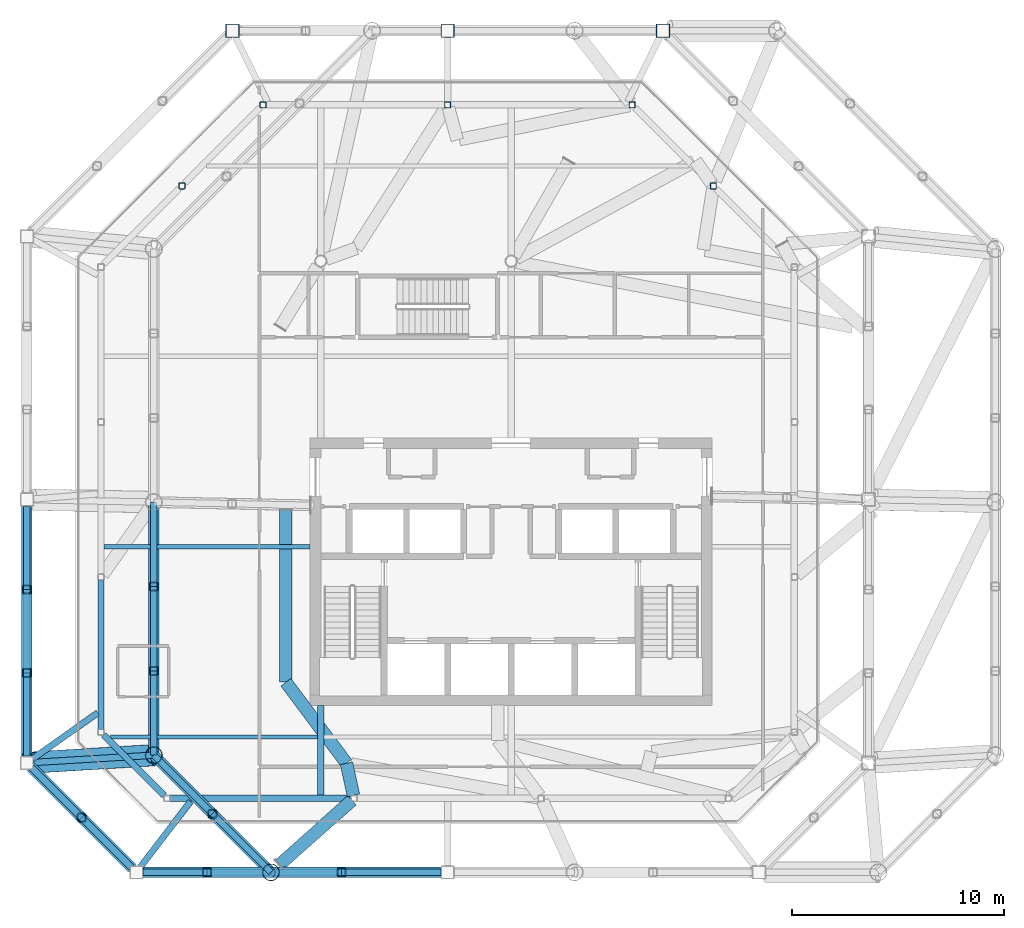
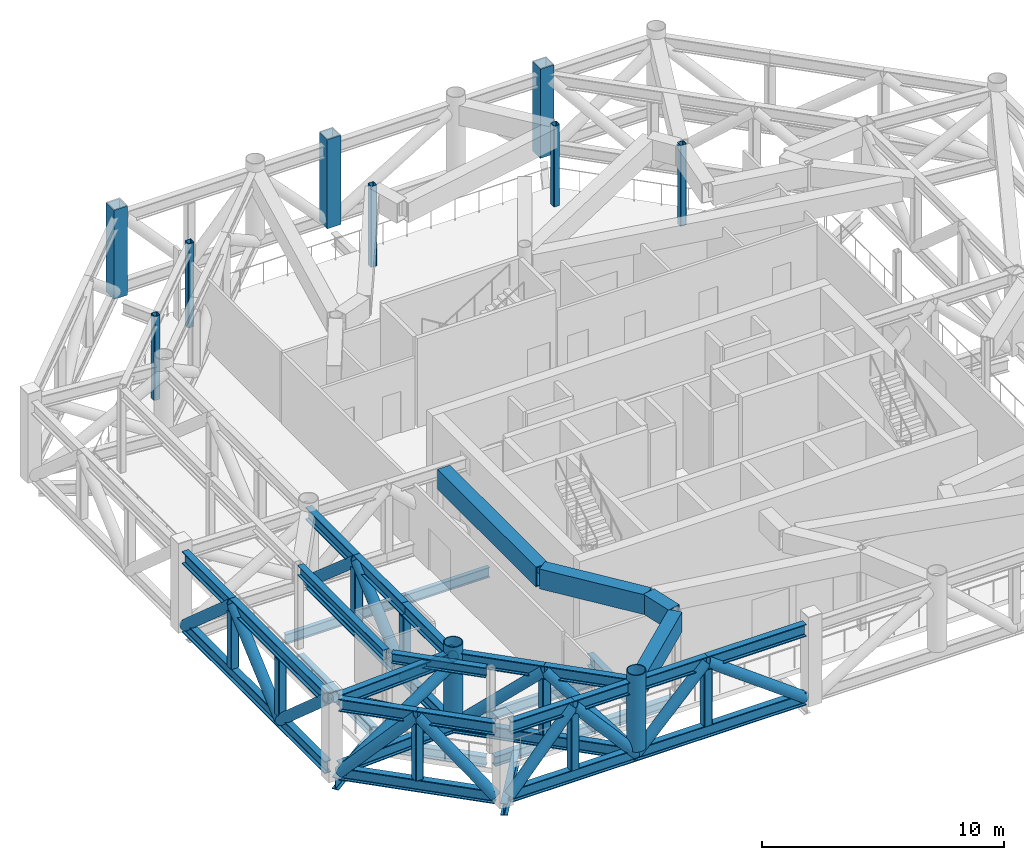
# One storey, part 2 of 14: 38 beams, 26 members, 8 columns.
"""IFC4 building model written with IfcOpenShell, lengths in metres."""

from ifc_helpers import new_model, si_unit, direction, frame, origin, origin_2d, place, context, subcontext, project, spatial, hollow_rectangle, hollow_circle, i_section, extrude, material, material_profile, profile_set, type_object, element, save


model = new_model("IFC4")

# Units and contexts
model_context = context("Model", 3, precision=1e-05, world=origin(), true_north=direction((0.0, 1.0)))
body_context = subcontext(model_context, "Body", "Model", "MODEL_VIEW")
ifc_project = project(units=[si_unit("LENGTHUNIT", "METRE"), si_unit("AREAUNIT", "SQUARE_METRE"), si_unit("VOLUMEUNIT", "CUBIC_METRE"), si_unit("PLANEANGLEUNIT", "RADIAN"), si_unit("MASSUNIT", "GRAM", prefix="KILO")], contexts=[model_context])

# Site, building, storey
site_placement = place(None, origin())
site = spatial("IfcSite", under=ifc_project, at=site_placement, CompositionType="ELEMENT")
building_placement = place(site_placement, origin())
building = spatial("IfcBuilding", under=site, at=building_placement, Name="Tskaro Facet Tower", CompositionType="ELEMENT")
storey_placement = place(building_placement, frame((0.0, 0.0, 255.0)))
storey = spatial("IfcBuildingStorey", under=building, at=storey_placement, Name="L67", CompositionType="ELEMENT", Elevation=255.0)

# Columns
ifc_material_1 = material(Name="Steel S355J2", Category="steel")
ifc_material_profile_1 = material_profile(ifc_material_1, hollow_rectangle(XDim=0.64990234375, YDim=0.64990234375, WallThickness=0.0400390625, at=origin_2d()), Name="BOX 650x650x40")
ifc_profile_set_1 = profile_set([ifc_material_profile_1], Name="Steel S355J2")
column_type_1 = type_object("IfcColumnType", Name="BOX 650x650x40 mega column", PredefinedType="COLUMN", material=ifc_profile_set_1)
for number, where, z_axis, x_axis, name in (
    (1, (7.176025390625, 19.89306640625, 0.0), (0.0, 0.0, 1.0), (1.0, 0.0, 0.0), "BOX 650x650x40 MC07/5T"),
    (2, (-3.0, 19.89306640625, 0.0), (0.0, 0.0, 1.0), (1.0, 0.0, 0.0), "BOX 650x650x40 MC08/5T"),
    (3, (-13.176025390625, 19.89306640625, 0.0), (0.0, 0.0, 1.0), (1.0, 0.0, 0.0), "BOX 650x650x40 MC09/5T"),
):
    element("IfcColumn", number, at=place(storey_placement, frame(where, z_axis=z_axis, x_axis=x_axis)), inside=storey, type_object=column_type_1, Name=name, PredefinedType="COLUMN", context=body_context, shape_type="SweptSolid", body=[
        extrude(hollow_rectangle(XDim=0.64990234375, YDim=0.64990234375, WallThickness=0.0400390625, at=origin_2d()), origin(), (0.0, 0.0, 1.0), 4.5),
    ])
ifc_material_2 = material(Name="Steel S355J2H", Category="steel")
ifc_material_profile_2 = material_profile(ifc_material_2, hollow_rectangle(XDim=0.300048828125, YDim=0.300048828125, WallThickness=0.02001953125, InnerFilletRadius=0.030029296875, OuterFilletRadius=0.050048828125, at=origin_2d()), Name="SHS 300x300x20")
ifc_profile_set_2 = profile_set([ifc_material_profile_2], Name="Steel S355J2H")
column_type_2 = type_object("IfcColumnType", Name="SHS 300x300x20 ring column", PredefinedType="COLUMN", material=ifc_profile_set_2)
for number, where, z_axis, x_axis, name in (
    (4, (9.55810546875, 12.55810546875, 0.0), (0.0, 0.0, 1.0), (1.0, 0.0, 0.0), "SHS 300x300x20 RNE-2/5"),
    (5, (5.72509765625, 16.39111328125, 0.0), (0.0, 0.0, 1.0), (1.0, 0.0, 0.0), "SHS 300x300x20 RN-1/5"),
    (6, (-3.0, 16.39111328125, 0.0), (0.0, 0.0, 1.0), (1.0, 0.0, 0.0), "SHS 300x300x20 RN-2/5"),
):
    element("IfcColumn", number, at=place(storey_placement, frame(where, z_axis=z_axis, x_axis=x_axis)), inside=storey, type_object=column_type_2, Name=name, PredefinedType="COLUMN", context=body_context, shape_type="SweptSolid", body=[
        extrude(hollow_rectangle(XDim=0.300048828125, YDim=0.300048828125, WallThickness=0.02001953125, InnerFilletRadius=0.030029296875, OuterFilletRadius=0.050048828125, at=origin_2d()), origin(), (0.0, 0.0, 1.0), 4.080078125),
    ])
for number, where, z_axis, x_axis, name in (
    (7, (-11.72509765625, 16.39111328125, 0.0), (0.0, 0.0, 1.0), (1.0, 0.0, 0.0), "SHS 300x300x20 RNW-1/5"),
    (8, (-15.55810546875, 12.55810546875, 0.0), (0.0, 0.0, 1.0), (1.0, 0.0, 0.0), "SHS 300x300x20 RNW-2/5"),
):
    element("IfcColumn", number, at=place(storey_placement, frame(where, z_axis=z_axis, x_axis=x_axis)), inside=storey, type_object=column_type_2, Name=name, PredefinedType="COLUMN", context=body_context, shape_type="SweptSolid", body=[
        extrude(hollow_rectangle(XDim=0.300048828125, YDim=0.300048828125, WallThickness=0.02001953125, InnerFilletRadius=0.030029296875, OuterFilletRadius=0.050048828125, at=origin_2d()), origin(), (0.0, 0.0, 1.0), 4.25),
    ])

# Beams
ifc_material_profile_3 = material_profile(ifc_material_1, hollow_rectangle(XDim=0.60009765625, YDim=1.0, WallThickness=0.0400390625, at=origin_2d()), Name="BOX 600x1000x40")
ifc_profile_set_3 = profile_set([ifc_material_profile_3], Name="Steel S355J2")
beam_type_1 = type_object("IfcBeamType", Name="BOX 600x1000x40 transfer girder", PredefinedType="BEAM", material=ifc_profile_set_3)
beam_1_placement = place(storey_placement, frame((-7.785400390625, -14.7373046875, 3.580078125), z_axis=(0.214132910757, -0.976804533431, 0.0), x_axis=(0.976804533431, 0.214132910757, 0.0)))
element("IfcBeam", 9, at=beam_1_placement, inside=storey, type_object=beam_type_1, Name="BOX 600x1000x40 TG6-9", PredefinedType="BEAM", context=body_context, shape_type="SweptSolid", body=[
    extrude(hollow_rectangle(XDim=0.60009765625, YDim=1.0, WallThickness=0.0400390625, at=origin_2d()), origin(), (0.0, 0.0, 1.0), 1.552978515625),
])
beam_2_placement = place(storey_placement, frame((-10.9443359375, -19.527099609375, 3.580078125), z_axis=(0.746773072419, 0.665078926376, 0.0), x_axis=(-0.665078926376, 0.746773072419, 0.0)))
element("IfcBeam", 10, at=beam_2_placement, inside=storey, type_object=beam_type_1, Name="BOX 600x1000x40 TG6-32", PredefinedType="BEAM", context=body_context, shape_type="SweptSolid", body=[
    extrude(hollow_rectangle(XDim=0.60009765625, YDim=1.0, WallThickness=0.0400390625, at=origin_2d()), origin(), (0.0, 0.0, 1.0), 4.575439453125),
])
beam_3_placement = place(storey_placement, frame((-10.64990234375, -10.903076171875, 3.580078125), z_axis=(0.598505368938, -0.801118794782, 0.0), x_axis=(0.801118794782, 0.598505368938, 0.0)))
element("IfcBeam", 11, at=beam_3_placement, inside=storey, type_object=beam_type_1, Name="BOX 600x1000x40 TG6-36", PredefinedType="BEAM", context=body_context, shape_type="SweptSolid", body=[
    extrude(hollow_rectangle(XDim=0.60009765625, YDim=1.0, WallThickness=0.0400390625, at=origin_2d()), origin(), (0.0, 0.0, 1.0), 4.7861328125),
])
beam_4_placement = place(storey_placement, frame((-10.64990234375, -2.75, 3.580078125), z_axis=(0.0, -1.0, 0.0), x_axis=(1.0, 0.0, 0.0)))
element("IfcBeam", 12, at=beam_4_placement, inside=storey, type_object=beam_type_1, Name="BOX 600x1000x40 TG6-37", PredefinedType="BEAM", context=body_context, shape_type="SweptSolid", body=[
    extrude(hollow_rectangle(XDim=0.60009765625, YDim=1.0, WallThickness=0.0400390625, at=origin_2d()), origin(), (0.0, 0.0, 1.0), 8.153076171875),
])

# Members
ifc_material_profile_4 = material_profile(ifc_material_2, hollow_circle(Radius=0.25390625, WallThickness=0.02490234375, at=origin_2d()), Name="CHS 508x25")
ifc_profile_set_4 = profile_set([ifc_material_profile_4], Name="Steel S355J2H")
member_type_1 = type_object("IfcMemberType", Name="CHS 508x25 belt diagonal", PredefinedType="BRACE", material=ifc_profile_set_4)
for number, where, z_axis, x_axis, name in (
    (13, (-17.39404296875, -19.89306640625, 0.31005859375), (0.65752546743, 0.0, 0.753432319244), (0.0, 1.0, 0.0), "CHS 508x25 BD5-011"),
    (14, (-14.37451171875, -19.89306640625, 3.77001953125), (0.65752546743, 0.0, -0.753432319244), (0.0, 1.0, 0.0), "CHS 508x25 BD5-012"),
):
    element("IfcMember", number, at=place(storey_placement, frame(where, z_axis=z_axis, x_axis=x_axis)), inside=storey, type_object=member_type_1, Name=name, PredefinedType="BRACE", context=body_context, shape_type="SweptSolid", body=[
        extrude(hollow_circle(Radius=0.25390625, WallThickness=0.02490234375, at=origin_2d()), origin(), (0.0, 0.0, 1.0), 4.59228515625),
    ])
member_1_placement = place(storey_placement, frame((-11.35498046875, -19.89306640625, 0.31005859375), z_axis=(0.694560086754, 0.0, 0.719434698836), x_axis=(0.0, 1.0, 0.0)))
element("IfcMember", 15, at=member_1_placement, inside=storey, type_object=member_type_1, Name="CHS 508x25 BD5-013", PredefinedType="BRACE", context=body_context, shape_type="SweptSolid", body=[
    extrude(hollow_circle(Radius=0.25390625, WallThickness=0.02490234375, at=origin_2d()), origin(), (0.0, 0.0, 1.0), 4.809326171875),
])
member_2_placement = place(storey_placement, frame((-8.0146484375, -19.89306640625, 3.77001953125), z_axis=(0.804695586788, 0.0, -0.593687638917), x_axis=(0.0, 1.0, 0.0)))
element("IfcMember", 16, at=member_2_placement, inside=storey, type_object=member_type_1, Name="CHS 508x25 BD5-014", PredefinedType="BRACE", context=body_context, shape_type="SweptSolid", body=[
    extrude(hollow_circle(Radius=0.25390625, WallThickness=0.02490234375, at=origin_2d()), origin(), (0.0, 0.0, 1.0), 5.827880859375),
])
member_3_placement = place(storey_placement, frame((-22.89306640625, -2.595947265625, 0.31005859375), z_axis=(0.0, -0.750783783976, 0.660548037404), x_axis=(1.0, 0.0, 0.0)))
element("IfcMember", 17, at=member_3_placement, inside=storey, type_object=member_type_1, Name="CHS 508x25 BD5-111", PredefinedType="BRACE", context=body_context, shape_type="SweptSolid", body=[
    extrude(hollow_circle(Radius=0.25390625, WallThickness=0.02490234375, at=origin_2d()), origin(), (0.0, 0.0, 1.0), 5.238037109375),
])
member_4_placement = place(storey_placement, frame((-22.89306640625, -6.528564453125, 3.77001953125), z_axis=(0.0, -0.750804119683, -0.660524922972), x_axis=(1.0, 0.0, 0.0)))
element("IfcMember", 18, at=member_4_placement, inside=storey, type_object=member_type_1, Name="CHS 508x25 BD5-112", PredefinedType="BRACE", context=body_context, shape_type="SweptSolid", body=[
    extrude(hollow_circle(Radius=0.25390625, WallThickness=0.02490234375, at=origin_2d()), origin(), (0.0, 0.0, 1.0), 5.23828125),
])
member_5_placement = place(storey_placement, frame((-22.89306640625, -10.46142578125, 0.31005859375), z_axis=(0.0, -0.750783783976, 0.660548037404), x_axis=(1.0, 0.0, 0.0)))
element("IfcMember", 19, at=member_5_placement, inside=storey, type_object=member_type_1, Name="CHS 508x25 BD5-113", PredefinedType="BRACE", context=body_context, shape_type="SweptSolid", body=[
    extrude(hollow_circle(Radius=0.25390625, WallThickness=0.02490234375, at=origin_2d()), origin(), (0.0, 0.0, 1.0), 5.238037109375),
])
for number, where, z_axis, x_axis, name in (
    (20, (-22.6630859375, -14.94873046875, 0.31005859375), (0.490611479462, -0.490611479462, 0.720139397922), (0.707106781187, 0.707106781187, 0.0), "CHS 508x25 BD5-121"),
    (21, (-20.305908203125, -17.305908203125, 3.77001953125), (0.490611479462, -0.490611479462, -0.720139397922), (0.707106781187, 0.707106781187, 0.0), "CHS 508x25 BD5-122"),
):
    element("IfcMember", number, at=place(storey_placement, frame(where, z_axis=z_axis, x_axis=x_axis)), inside=storey, type_object=member_type_1, Name=name, PredefinedType="BRACE", context=body_context, shape_type="SweptSolid", body=[
        extrude(hollow_circle(Radius=0.25390625, WallThickness=0.02490234375, at=origin_2d()), origin(), (0.0, 0.0, 1.0), 4.8046875),
    ])
member_6_placement = place(storey_placement, frame((-16.89306640625, -2.39208984375, 0.31005859375), z_axis=(0.0, -0.755305972074, 0.655372328184), x_axis=(1.0, 0.0, 0.0)))
element("IfcMember", 22, at=member_6_placement, inside=storey, type_object=member_type_1, Name="CHS 508x25 TB5-11-D1", PredefinedType="BRACE", context=body_context, shape_type="SweptSolid", body=[
    extrude(hollow_circle(Radius=0.25390625, WallThickness=0.02490234375, at=origin_2d()), origin(), (0.0, 0.0, 1.0), 5.279296875),
])
member_7_placement = place(storey_placement, frame((-16.89306640625, -6.379638671875, 3.77001953125), z_axis=(0.0, -0.755325833499, -0.655349437514), x_axis=(1.0, 0.0, 0.0)))
element("IfcMember", 23, at=member_7_placement, inside=storey, type_object=member_type_1, Name="CHS 508x25 TB5-11-D2", PredefinedType="BRACE", context=body_context, shape_type="SweptSolid", body=[
    extrude(hollow_circle(Radius=0.25390625, WallThickness=0.02490234375, at=origin_2d()), origin(), (0.0, 0.0, 1.0), 5.279541015625),
])
member_8_placement = place(storey_placement, frame((-16.89306640625, -10.367431640625, 0.31005859375), z_axis=(0.0, -0.755305972074, 0.655372328184), x_axis=(1.0, 0.0, 0.0)))
element("IfcMember", 24, at=member_8_placement, inside=storey, type_object=member_type_1, Name="CHS 508x25 TB5-11-D3", PredefinedType="BRACE", context=body_context, shape_type="SweptSolid", body=[
    extrude(hollow_circle(Radius=0.25390625, WallThickness=0.02490234375, at=origin_2d()), origin(), (0.0, 0.0, 1.0), 5.279296875),
])
for number, where, z_axis, x_axis, name in (
    (25, (-16.89306640625, -14.35498046875, 0.31005859375), (0.529903095236, -0.529903095236, 0.66212190669), (0.707106781187, 0.707106781187, 0.0), "CHS 508x25 TB5-12-D1"),
    (26, (-14.1240234375, -17.1240234375, 3.77001953125), (0.529903095236, -0.529903095236, -0.66212190669), (0.707106781187, 0.707106781187, 0.0), "CHS 508x25 TB5-12-D2"),
):
    element("IfcMember", number, at=place(storey_placement, frame(where, z_axis=z_axis, x_axis=x_axis)), inside=storey, type_object=member_type_1, Name=name, PredefinedType="BRACE", context=body_context, shape_type="SweptSolid", body=[
        extrude(hollow_circle(Radius=0.25390625, WallThickness=0.02490234375, at=origin_2d()), origin(), (0.0, 0.0, 1.0), 5.2255859375),
    ])
for number, where, z_axis, x_axis, name in (
    (27, (-22.55322265625, -14.952880859375, 0.31005859375), (0.852702431258, 0.051718949889, 0.519830466546), (-0.060541729711, 0.998165667093, 0.0), "CHS 508x25 TL5-12A-D1"),
    (28, (-22.583984375, -14.44580078125, 3.77001953125), (0.852702431258, 0.051718949889, -0.519830466546), (-0.060541729711, 0.998165667093, 0.0), "CHS 508x25 TL5-12A-D2"),
):
    element("IfcMember", number, at=place(storey_placement, frame(where, z_axis=z_axis, x_axis=x_axis)), inside=storey, type_object=member_type_1, Name=name, PredefinedType="BRACE", context=body_context, shape_type="SweptSolid", body=[
        extrude(hollow_circle(Radius=0.25390625, WallThickness=0.02490234375, at=origin_2d()), origin(), (0.0, 0.0, 1.0), 6.656005859375),
    ])
ifc_material_profile_5 = material_profile(ifc_material_2, hollow_circle(Radius=0.406494140625, WallThickness=0.035888671875, at=origin_2d()), Name="CHS 812.8x36")
ifc_profile_set_5 = profile_set([ifc_material_profile_5], Name="Steel S355J2H")
member_type_2 = type_object("IfcMemberType", Name="CHS 812.8x36 transfer node post", PredefinedType="POST", material=ifc_profile_set_5)
for number, where, z_axis, x_axis, name in (
    (29, (-11.35498046875, -19.89306640625, 0.6201171875), (0.0, 0.0, 1.0), (1.0, 0.0, 0.0), "CHS 812.8x36 TN5-01"),
    (30, (-16.89306640625, -14.35498046875, 0.6201171875), (0.0, 0.0, 1.0), (1.0, 0.0, 0.0), "CHS 812.8x36 TN5-12"),
):
    element("IfcMember", number, at=place(storey_placement, frame(where, z_axis=z_axis, x_axis=x_axis)), inside=storey, type_object=member_type_2, Name=name, PredefinedType="POST", context=body_context, shape_type="SweptSolid", body=[
        extrude(hollow_circle(Radius=0.406494140625, WallThickness=0.035888671875, at=origin_2d()), origin(), (0.0, 0.0, 1.0), 3.8798828125),
    ])

# Beams
ifc_material_profile_6 = material_profile(ifc_material_1, i_section(OverallWidth=0.300048828125, OverallDepth=0.5, WebThickness=0.014404296875, FlangeThickness=0.028076171875, FilletRadius=0.027099609375, at=origin_2d()), Name="HE 500 B")
ifc_profile_set_6 = profile_set([ifc_material_profile_6], Name="Steel S355J2")
beam_type_2 = type_object("IfcBeamType", Name="HE 500 B ring beam", PredefinedType="BEAM", material=ifc_profile_set_6)
beam_5_placement = place(storey_placement, frame((-16.137939453125, -16.39111328125, -0.5), z_axis=(1.0, 0.0, 0.0), x_axis=(0.0, 1.0, 0.0)))
element("IfcBeam", 31, at=beam_5_placement, inside=storey, type_object=beam_type_2, Name="HE 500 B EB1-5", PredefinedType="BEAM", context=body_context, shape_type="SweptSolid", body=[
    extrude(i_section(OverallWidth=0.300048828125, OverallDepth=0.5, WebThickness=0.014404296875, FlangeThickness=0.028076171875, FilletRadius=0.027099609375, at=origin_2d()), origin(), (0.0, 0.0, 1.0), 8.5849609375),
])
beam_6_placement = place(storey_placement, frame((-19.39111328125, -6.06689453125, -0.5), z_axis=(0.0, -1.0, 0.0), x_axis=(1.0, 0.0, 0.0)))
element("IfcBeam", 32, at=beam_6_placement, inside=storey, type_object=beam_type_2, Name="HE 500 B EB16-5", PredefinedType="BEAM", context=body_context, shape_type="SweptSolid", body=[
    extrude(i_section(OverallWidth=0.300048828125, OverallDepth=0.5, WebThickness=0.014404296875, FlangeThickness=0.028076171875, FilletRadius=0.027099609375, at=origin_2d()), origin(), (0.0, 0.0, 1.0), 7.071044921875),
])
beam_7_placement = place(storey_placement, frame((-19.255126953125, -13.40380859375, -0.5), z_axis=(0.707106781187, -0.707106781187, 0.0), x_axis=(0.707106781187, 0.707106781187, 0.0)))
element("IfcBeam", 33, at=beam_7_placement, inside=storey, type_object=beam_type_2, Name="HE 500 B EB17-5", PredefinedType="BEAM", context=body_context, shape_type="SweptSolid", body=[
    extrude(i_section(OverallWidth=0.300048828125, OverallDepth=0.5, WebThickness=0.014404296875, FlangeThickness=0.028076171875, FilletRadius=0.027099609375, at=origin_2d()), origin(), (0.0, 0.0, 1.0), 4.032470703125),
])
beam_8_placement = place(storey_placement, frame((-19.39111328125, -6.06689453125, 4.0), z_axis=(0.0, -1.0, 0.0), x_axis=(1.0, 0.0, 0.0)))
element("IfcBeam", 34, at=beam_8_placement, inside=storey, type_object=beam_type_2, Name="HE 500 B EB16-5R", PredefinedType="BEAM", context=body_context, shape_type="SweptSolid", body=[
    extrude(i_section(OverallWidth=0.300048828125, OverallDepth=0.5, WebThickness=0.014404296875, FlangeThickness=0.028076171875, FilletRadius=0.027099609375, at=origin_2d()), origin(), (0.0, 0.0, 1.0), 7.071044921875),
])
beam_9_placement = place(storey_placement, frame((-19.255126953125, -13.40380859375, 4.0), z_axis=(0.707106781187, -0.707106781187, 0.0), x_axis=(0.707106781187, 0.707106781187, 0.0)))
element("IfcBeam", 35, at=beam_9_placement, inside=storey, type_object=beam_type_2, Name="HE 500 B EB17-5R", PredefinedType="BEAM", context=body_context, shape_type="SweptSolid", body=[
    extrude(i_section(OverallWidth=0.300048828125, OverallDepth=0.5, WebThickness=0.014404296875, FlangeThickness=0.028076171875, FilletRadius=0.027099609375, at=origin_2d()), origin(), (0.0, 0.0, 1.0), 4.032470703125),
])
ifc_material_profile_7 = material_profile(ifc_material_1, i_section(OverallWidth=0.300048828125, OverallDepth=0.590087890625, WebThickness=0.012939453125, FlangeThickness=0.02490234375, FilletRadius=0.027099609375, at=origin_2d()), Name="HE 600 A")
ifc_profile_set_7 = profile_set([ifc_material_profile_7], Name="Steel S355J2")
beam_type_3 = type_object("IfcBeamType", Name="HE 600 A girder", PredefinedType="BEAM", material=ifc_profile_set_7)
beam_10_placement = place(storey_placement, frame((-9.0, -16.240966796875, -0.544921875), z_axis=(0.0, 1.0, 0.0), x_axis=(-1.0, 0.0, 0.0)))
element("IfcBeam", 36, at=beam_10_placement, inside=storey, type_object=beam_type_3, Name="HE 600 A GB3-1-5", PredefinedType="BEAM", context=body_context, shape_type="SweptSolid", body=[
    extrude(i_section(OverallWidth=0.300048828125, OverallDepth=0.590087890625, WebThickness=0.012939453125, FlangeThickness=0.02490234375, FilletRadius=0.027099609375, at=origin_2d()), origin(), (0.0, 0.0, 1.0), 4.240966796875),
])
ifc_material_profile_8 = material_profile(ifc_material_1, i_section(OverallWidth=0.300048828125, OverallDepth=0.60009765625, WebThickness=0.015380859375, FlangeThickness=0.030029296875, FilletRadius=0.027099609375, at=origin_2d()), Name="HE 600 B")
ifc_profile_set_8 = profile_set([ifc_material_profile_8], Name="Steel S355J2")
beam_type_4 = type_object("IfcBeamType", Name="HE 600 B floor strut", PredefinedType="BEAM", material=ifc_profile_set_8)
beam_11_placement = place(storey_placement, frame((-17.521484375, -19.635009765625, -0.550048828125), z_axis=(0.607801244754, 0.794089193275, 0.0), x_axis=(-0.794089193275, 0.607801244754, 0.0)))
element("IfcBeam", 37, at=beam_11_placement, inside=storey, type_object=beam_type_4, Name="HE 600 B ES5-01", PredefinedType="BEAM", context=body_context, shape_type="SweptSolid", body=[
    extrude(i_section(OverallWidth=0.300048828125, OverallDepth=0.60009765625, WebThickness=0.015380859375, FlangeThickness=0.030029296875, FilletRadius=0.027099609375, at=origin_2d()), origin(), (0.0, 0.0, 1.0), 3.896240234375),
])
beam_12_placement = place(storey_placement, frame((-22.627685546875, -14.531494140625, -0.550048828125), z_axis=(0.816708196374, 0.577050883351, 0.0), x_axis=(-0.577050883351, 0.816708196374, 0.0)))
element("IfcBeam", 38, at=beam_12_placement, inside=storey, type_object=beam_type_4, Name="HE 600 B ES5-12", PredefinedType="BEAM", context=body_context, shape_type="SweptSolid", body=[
    extrude(i_section(OverallWidth=0.300048828125, OverallDepth=0.60009765625, WebThickness=0.015380859375, FlangeThickness=0.030029296875, FilletRadius=0.027099609375, at=origin_2d()), origin(), (0.0, 0.0, 1.0), 3.779296875),
])
ifc_material_profile_9 = material_profile(ifc_material_1, i_section(OverallWidth=0.304931640625, OverallDepth=0.6201171875, WebThickness=0.02099609375, FlangeThickness=0.0400390625, FilletRadius=0.027099609375, at=origin_2d()), Name="HE 600 M")
ifc_profile_set_9 = profile_set([ifc_material_profile_9], Name="Steel S355J2")
beam_type_5 = type_object("IfcBeamType", Name="HE 600 M belt chord", PredefinedType="BEAM", material=ifc_profile_set_9)
beam_13_placement = place(storey_placement, frame((-17.39404296875, -19.89306640625, 3.77001953125), z_axis=(1.0, 0.0, 0.0), x_axis=(0.0, 1.0, 0.0)))
element("IfcBeam", 39, at=beam_13_placement, inside=storey, type_object=beam_type_5, Name="HE 600 M BT5-01T1", PredefinedType="BEAM", context=body_context, shape_type="SweptSolid", body=[
    extrude(i_section(OverallWidth=0.304931640625, OverallDepth=0.6201171875, WebThickness=0.02099609375, FlangeThickness=0.0400390625, FilletRadius=0.027099609375, at=origin_2d()), origin(), (0.0, 0.0, 1.0), 3.01953125),
])
beam_14_placement = place(storey_placement, frame((-14.37451171875, -19.89306640625, 3.77001953125), z_axis=(1.0, 0.0, 0.0), x_axis=(0.0, 1.0, 0.0)))
element("IfcBeam", 40, at=beam_14_placement, inside=storey, type_object=beam_type_5, Name="HE 600 M BT5-01T2", PredefinedType="BEAM", context=body_context, shape_type="SweptSolid", body=[
    extrude(i_section(OverallWidth=0.304931640625, OverallDepth=0.6201171875, WebThickness=0.02099609375, FlangeThickness=0.0400390625, FilletRadius=0.027099609375, at=origin_2d()), origin(), (0.0, 0.0, 1.0), 6.35986328125),
])
beam_15_placement = place(storey_placement, frame((-8.0146484375, -19.89306640625, 3.77001953125), z_axis=(1.0, 0.0, 0.0), x_axis=(0.0, 1.0, 0.0)))
element("IfcBeam", 41, at=beam_15_placement, inside=storey, type_object=beam_type_5, Name="HE 600 M BT5-01T3", PredefinedType="BEAM", context=body_context, shape_type="SweptSolid", body=[
    extrude(i_section(OverallWidth=0.304931640625, OverallDepth=0.6201171875, WebThickness=0.02099609375, FlangeThickness=0.0400390625, FilletRadius=0.027099609375, at=origin_2d()), origin(), (0.0, 0.0, 1.0), 4.689697265625),
])
beam_16_placement = place(storey_placement, frame((-17.39404296875, -19.89306640625, 0.31005859375), z_axis=(1.0, 0.0, 0.0), x_axis=(0.0, 1.0, 0.0)))
element("IfcBeam", 42, at=beam_16_placement, inside=storey, type_object=beam_type_5, Name="HE 600 M BT5-01B1", PredefinedType="BEAM", context=body_context, shape_type="SweptSolid", body=[
    extrude(i_section(OverallWidth=0.304931640625, OverallDepth=0.6201171875, WebThickness=0.02099609375, FlangeThickness=0.0400390625, FilletRadius=0.027099609375, at=origin_2d()), origin(), (0.0, 0.0, 1.0), 6.0390625),
])
beam_17_placement = place(storey_placement, frame((-11.35498046875, -19.89306640625, 0.31005859375), z_axis=(1.0, 0.0, 0.0), x_axis=(0.0, 1.0, 0.0)))
element("IfcBeam", 43, at=beam_17_placement, inside=storey, type_object=beam_type_5, Name="HE 600 M BT5-01B2", PredefinedType="BEAM", context=body_context, shape_type="SweptSolid", body=[
    extrude(i_section(OverallWidth=0.304931640625, OverallDepth=0.6201171875, WebThickness=0.02099609375, FlangeThickness=0.0400390625, FilletRadius=0.027099609375, at=origin_2d()), origin(), (0.0, 0.0, 1.0), 8.030029296875),
])
beam_18_placement = place(storey_placement, frame((-22.89306640625, -2.595947265625, 3.77001953125), z_axis=(0.0, -1.0, 0.0), x_axis=(1.0, 0.0, 0.0)))
element("IfcBeam", 44, at=beam_18_placement, inside=storey, type_object=beam_type_5, Name="HE 600 M BT5-11T1", PredefinedType="BEAM", context=body_context, shape_type="SweptSolid", body=[
    extrude(i_section(OverallWidth=0.304931640625, OverallDepth=0.6201171875, WebThickness=0.02099609375, FlangeThickness=0.0400390625, FilletRadius=0.027099609375, at=origin_2d()), origin(), (0.0, 0.0, 1.0), 3.9326171875),
])
for number, where, z_axis, x_axis, name in (
    (45, (-22.89306640625, -6.528564453125, 3.77001953125), (0.0, -1.0, 0.0), (1.0, 0.0, 0.0), "HE 600 M BT5-11T2"),
    (46, (-22.89306640625, -2.595947265625, 0.31005859375), (0.0, -1.0, 0.0), (1.0, 0.0, 0.0), "HE 600 M BT5-11B1"),
):
    element("IfcBeam", number, at=place(storey_placement, frame(where, z_axis=z_axis, x_axis=x_axis)), inside=storey, type_object=beam_type_5, Name=name, PredefinedType="BEAM", context=body_context, shape_type="SweptSolid", body=[
        extrude(i_section(OverallWidth=0.304931640625, OverallDepth=0.6201171875, WebThickness=0.02099609375, FlangeThickness=0.0400390625, FilletRadius=0.027099609375, at=origin_2d()), origin(), (0.0, 0.0, 1.0), 7.865478515625),
    ])
beam_19_placement = place(storey_placement, frame((-22.89306640625, -10.46142578125, 0.31005859375), z_axis=(0.0, -1.0, 0.0), x_axis=(1.0, 0.0, 0.0)))
element("IfcBeam", 47, at=beam_19_placement, inside=storey, type_object=beam_type_5, Name="HE 600 M BT5-11B2", PredefinedType="BEAM", context=body_context, shape_type="SweptSolid", body=[
    extrude(i_section(OverallWidth=0.304931640625, OverallDepth=0.6201171875, WebThickness=0.02099609375, FlangeThickness=0.0400390625, FilletRadius=0.027099609375, at=origin_2d()), origin(), (0.0, 0.0, 1.0), 3.9326171875),
])
for number, where, z_axis, x_axis, name in (
    (48, (-22.6630859375, -14.94873046875, 3.77001953125), (0.707106781187, -0.707106781187, 0.0), (0.707106781187, 0.707106781187, 0.0), "HE 600 M BT5-12T1"),
    (49, (-20.305908203125, -17.305908203125, 3.77001953125), (0.707106781187, -0.707106781187, 0.0), (0.707106781187, 0.707106781187, 0.0), "HE 600 M BT5-12T2"),
):
    element("IfcBeam", number, at=place(storey_placement, frame(where, z_axis=z_axis, x_axis=x_axis)), inside=storey, type_object=beam_type_5, Name=name, PredefinedType="BEAM", context=body_context, shape_type="SweptSolid", body=[
        extrude(i_section(OverallWidth=0.304931640625, OverallDepth=0.6201171875, WebThickness=0.02099609375, FlangeThickness=0.0400390625, FilletRadius=0.027099609375, at=origin_2d()), origin(), (0.0, 0.0, 1.0), 3.33349609375),
    ])
beam_20_placement = place(storey_placement, frame((-22.6630859375, -14.94873046875, 0.31005859375), z_axis=(0.707106781187, -0.707106781187, 0.0), x_axis=(0.707106781187, 0.707106781187, 0.0)))
element("IfcBeam", 50, at=beam_20_placement, inside=storey, type_object=beam_type_5, Name="HE 600 M BT5-12B1", PredefinedType="BEAM", context=body_context, shape_type="SweptSolid", body=[
    extrude(i_section(OverallWidth=0.304931640625, OverallDepth=0.6201171875, WebThickness=0.02099609375, FlangeThickness=0.0400390625, FilletRadius=0.027099609375, at=origin_2d()), origin(), (0.0, 0.0, 1.0), 6.6669921875),
])
for number, where, z_axis, x_axis, name in (
    (51, (-16.89306640625, -2.39208984375, 3.77001953125), (0.0, -1.0, 0.0), (1.0, 0.0, 0.0), "HE 600 M TB5-11-T1"),
    (52, (-16.89306640625, -2.39208984375, 0.31005859375), (0.0, -1.0, 0.0), (1.0, 0.0, 0.0), "HE 600 M TB5-11-B1"),
):
    element("IfcBeam", number, at=place(storey_placement, frame(where, z_axis=z_axis, x_axis=x_axis)), inside=storey, type_object=beam_type_5, Name=name, PredefinedType="BEAM", context=body_context, shape_type="SweptSolid", body=[
        extrude(i_section(OverallWidth=0.304931640625, OverallDepth=0.6201171875, WebThickness=0.02099609375, FlangeThickness=0.0400390625, FilletRadius=0.027099609375, at=origin_2d()), origin(), (0.0, 0.0, 1.0), 3.987548828125),
    ])
for number, where, z_axis, x_axis, name in (
    (53, (-16.89306640625, -6.379638671875, 3.77001953125), (0.0, -1.0, 0.0), (1.0, 0.0, 0.0), "HE 600 M TB5-11-T2"),
    (54, (-16.89306640625, -6.379638671875, 0.31005859375), (0.0, -1.0, 0.0), (1.0, 0.0, 0.0), "HE 600 M TB5-11-B2"),
):
    element("IfcBeam", number, at=place(storey_placement, frame(where, z_axis=z_axis, x_axis=x_axis)), inside=storey, type_object=beam_type_5, Name=name, PredefinedType="BEAM", context=body_context, shape_type="SweptSolid", body=[
        extrude(i_section(OverallWidth=0.304931640625, OverallDepth=0.6201171875, WebThickness=0.02099609375, FlangeThickness=0.0400390625, FilletRadius=0.027099609375, at=origin_2d()), origin(), (0.0, 0.0, 1.0), 3.98779296875),
    ])
for number, where, z_axis, x_axis, name in (
    (55, (-16.89306640625, -10.367431640625, 3.77001953125), (0.0, -1.0, 0.0), (1.0, 0.0, 0.0), "HE 600 M TB5-11-T3"),
    (56, (-16.89306640625, -10.367431640625, 0.31005859375), (0.0, -1.0, 0.0), (1.0, 0.0, 0.0), "HE 600 M TB5-11-B3"),
):
    element("IfcBeam", number, at=place(storey_placement, frame(where, z_axis=z_axis, x_axis=x_axis)), inside=storey, type_object=beam_type_5, Name=name, PredefinedType="BEAM", context=body_context, shape_type="SweptSolid", body=[
        extrude(i_section(OverallWidth=0.304931640625, OverallDepth=0.6201171875, WebThickness=0.02099609375, FlangeThickness=0.0400390625, FilletRadius=0.027099609375, at=origin_2d()), origin(), (0.0, 0.0, 1.0), 3.987548828125),
    ])
for number, where, z_axis, x_axis, name in (
    (57, (-16.89306640625, -14.35498046875, 3.77001953125), (0.707106781187, -0.707106781187, 0.0), (0.707106781187, 0.707106781187, 0.0), "HE 600 M TB5-12-T1"),
    (58, (-16.89306640625, -14.35498046875, 0.31005859375), (0.707106781187, -0.707106781187, 0.0), (0.707106781187, 0.707106781187, 0.0), "HE 600 M TB5-12-B1"),
    (59, (-14.1240234375, -17.1240234375, 3.77001953125), (0.707106781187, -0.707106781187, 0.0), (0.707106781187, 0.707106781187, 0.0), "HE 600 M TB5-12-T2"),
    (60, (-14.1240234375, -17.1240234375, 0.31005859375), (0.707106781187, -0.707106781187, 0.0), (0.707106781187, 0.707106781187, 0.0), "HE 600 M TB5-12-B2"),
):
    element("IfcBeam", number, at=place(storey_placement, frame(where, z_axis=z_axis, x_axis=x_axis)), inside=storey, type_object=beam_type_5, Name=name, PredefinedType="BEAM", context=body_context, shape_type="SweptSolid", body=[
        extrude(i_section(OverallWidth=0.304931640625, OverallDepth=0.6201171875, WebThickness=0.02099609375, FlangeThickness=0.0400390625, FilletRadius=0.027099609375, at=origin_2d()), origin(), (0.0, 0.0, 1.0), 3.916015625),
    ])
for number, where, z_axis, x_axis, name in (
    (61, (-22.568603515625, -14.69921875, 3.77001953125), (0.998165667093, 0.060541729711, 0.0), (-0.060541729711, 0.998165667093, 0.0), "HE 600 M TL5-12A-T1"),
    (62, (-22.568603515625, -14.69921875, 0.31005859375), (0.998165667093, 0.060541729711, 0.0), (-0.060541729711, 0.998165667093, 0.0), "HE 600 M TL5-12A-B1"),
):
    element("IfcBeam", number, at=place(storey_placement, frame(where, z_axis=z_axis, x_axis=x_axis)), inside=storey, type_object=beam_type_5, Name=name, PredefinedType="BEAM", context=body_context, shape_type="SweptSolid", body=[
        extrude(i_section(OverallWidth=0.304931640625, OverallDepth=0.6201171875, WebThickness=0.02099609375, FlangeThickness=0.0400390625, FilletRadius=0.027099609375, at=origin_2d()), origin(), (0.0, 0.0, 1.0), 5.68603515625),
    ])
ifc_material_profile_10 = material_profile(ifc_material_1, i_section(OverallWidth=0.199951171875, OverallDepth=0.5, WebThickness=0.01025390625, FlangeThickness=0.01611328125, FilletRadius=0.02099609375, at=origin_2d()), Name="IPE 500")
ifc_profile_set_10 = profile_set([ifc_material_profile_10], Name="Steel S355J2")
beam_type_6 = type_object("IfcBeamType", Name="IPE 500 secondary beam", PredefinedType="BEAM", material=ifc_profile_set_10)
beam_21_placement = place(storey_placement, frame((-18.947021484375, -13.5, -0.5), z_axis=(1.0, 0.0, 0.0), x_axis=(0.0, 1.0, 0.0)))
element("IfcBeam", 63, at=beam_21_placement, inside=storey, type_object=beam_type_6, Name="IPE 500 SB2a-1-5", PredefinedType="BEAM", context=body_context, shape_type="SweptSolid", body=[
    extrude(i_section(OverallWidth=0.199951171875, OverallDepth=0.5, WebThickness=0.01025390625, FlangeThickness=0.01611328125, FilletRadius=0.02099609375, at=origin_2d()), origin(), (0.0, 0.0, 1.0), 9.797119140625),
])
beam_22_placement = place(storey_placement, frame((-19.240966796875, -4.5, -0.5), z_axis=(1.0, 0.0, 0.0), x_axis=(0.0, 1.0, 0.0)))
element("IfcBeam", 64, at=beam_22_placement, inside=storey, type_object=beam_type_6, Name="IPE 500 SB3a-1-5", PredefinedType="BEAM", context=body_context, shape_type="SweptSolid", body=[
    extrude(i_section(OverallWidth=0.199951171875, OverallDepth=0.5, WebThickness=0.01025390625, FlangeThickness=0.01611328125, FilletRadius=0.02099609375, at=origin_2d()), origin(), (0.0, 0.0, 1.0), 9.740966796875),
])

# Members
ifc_material_profile_11 = material_profile(ifc_material_2, hollow_rectangle(XDim=0.39990234375, YDim=0.39990234375, WallThickness=0.02490234375, InnerFilletRadius=0.03759765625, OuterFilletRadius=0.0625, at=origin_2d()), Name="SHS 400x400x25")
ifc_profile_set_11 = profile_set([ifc_material_profile_11], Name="Steel S355J2H")
member_type_3 = type_object("IfcMemberType", Name="SHS 400x400x25 belt post", PredefinedType="POST", material=ifc_profile_set_11)
for number, where, z_axis, x_axis, name in (
    (65, (-14.37451171875, -19.89306640625, 0.6201171875), (0.0, 0.0, 1.0), (1.0, 0.0, 0.0), "SHS 400x400x25 BP5-011"),
    (66, (-8.0146484375, -19.89306640625, 0.6201171875), (0.0, 0.0, 1.0), (1.0, 0.0, 0.0), "SHS 400x400x25 BP5-013"),
    (67, (-22.89306640625, -6.528564453125, 0.6201171875), (0.0, 0.0, 1.0), (1.0, 0.0, 0.0), "SHS 400x400x25 BP5-111"),
    (68, (-22.89306640625, -10.46142578125, 0.6201171875), (0.0, 0.0, 1.0), (1.0, 0.0, 0.0), "SHS 400x400x25 BP5-112"),
    (69, (-20.305908203125, -17.305908203125, 0.6201171875), (0.0, 0.0, 1.0), (1.0, 0.0, 0.0), "SHS 400x400x25 BP5-121"),
    (70, (-16.89306640625, -6.379638671875, 0.6201171875), (0.0, 0.0, 1.0), (1.0, 0.0, 0.0), "SHS 400x400x25 TB5-11-P1"),
    (71, (-16.89306640625, -10.367431640625, 0.6201171875), (0.0, 0.0, 1.0), (1.0, 0.0, 0.0), "SHS 400x400x25 TB5-11-P2"),
    (72, (-14.1240234375, -17.1240234375, 0.6201171875), (0.0, 0.0, 1.0), (1.0, 0.0, 0.0), "SHS 400x400x25 TB5-12-P1"),
):
    element("IfcMember", number, at=place(storey_placement, frame(where, z_axis=z_axis, x_axis=x_axis)), inside=storey, type_object=member_type_3, Name=name, PredefinedType="POST", context=body_context, shape_type="SweptSolid", body=[
        extrude(hollow_rectangle(XDim=0.39990234375, YDim=0.39990234375, WallThickness=0.02490234375, InnerFilletRadius=0.03759765625, OuterFilletRadius=0.0625, at=origin_2d()), origin(), (0.0, 0.0, 1.0), 2.83984375),
    ])

save(model, "model.ifc")
